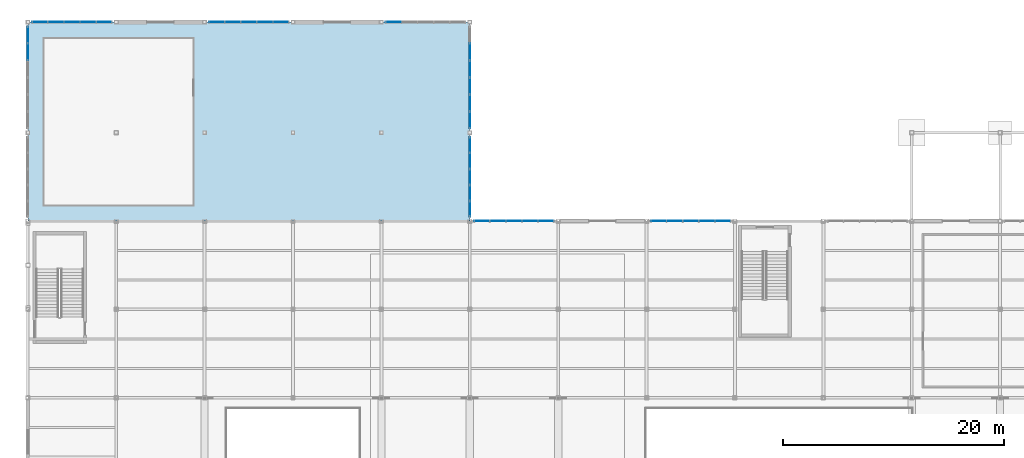
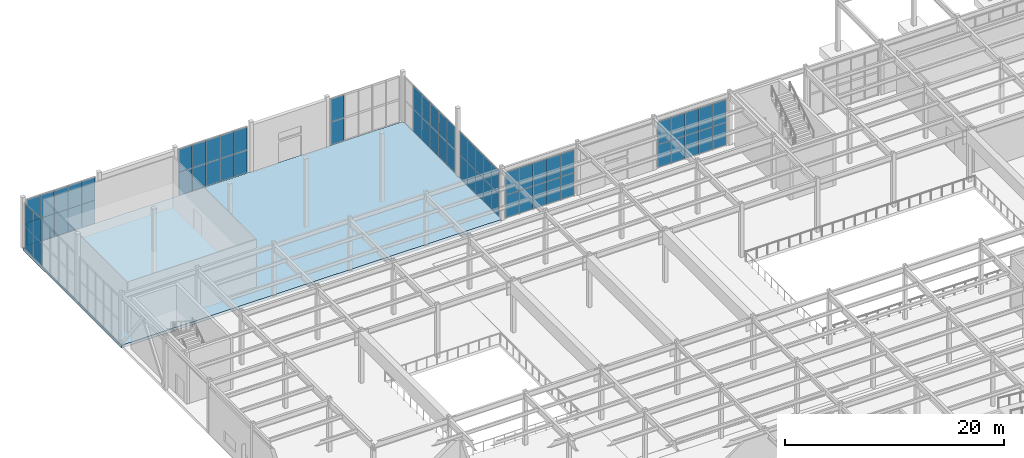
# One storey, part 52 of 82: 66 plates, 1 slab, 8 elements without a shape of their own.
"""IFC4 building model written with IfcOpenShell, lengths in metres."""

from ifc_helpers import new_model, si_unit, direction, frame, origin, origin_2d, place, context, subcontext, project, spatial, polyline, rectangle, outline, extrude, material, layer, layer_set, type_object, element, aggregate, save


model = new_model("IFC4")

# Units and contexts
model_context = context("Model", 3, precision=1e-05, world=origin(), true_north=direction((0.0, 1.0)))
body_context = subcontext(model_context, "Body", "Model", "MODEL_VIEW")
ifc_project = project(units=[si_unit("LENGTHUNIT", "METRE"), si_unit("AREAUNIT", "SQUARE_METRE"), si_unit("VOLUMEUNIT", "CUBIC_METRE"), si_unit("PLANEANGLEUNIT", "RADIAN"), si_unit("MASSUNIT", "GRAM", prefix="KILO")], contexts=[model_context])

# Site, building, storey
site_placement = place(None, origin())
site = spatial("IfcSite", under=ifc_project, at=site_placement, CompositionType="ELEMENT")
building_placement = place(site_placement, origin())
building = spatial("IfcBuilding", under=site, at=building_placement, Name="Drelvath Fold Interchange", CompositionType="ELEMENT")
storey_placement = place(building_placement, origin())
storey = spatial("IfcBuildingStorey", under=building, at=storey_placement, Name="L00", CompositionType="ELEMENT", Elevation=0.0)

# Curtain wall, plates
ifc_material_1 = material(Name="Anodized Aluminium 6063-T6", Category="aluminium")
curtain_wall_type_1 = type_object("IfcCurtainWallType", Name="CW-CON-600", PredefinedType="USERDEFINED", material=ifc_material_1)
curtain_wall_1_placement = place(storey_placement, origin())
curtain_wall_1 = element("IfcCurtainWall", 1, at=curtain_wall_1_placement, inside=storey, type_object=curtain_wall_type_1, Name="Curtain wall CW-V1N-L00-00", ObjectType="UNITISED CURTAIN WALL", PredefinedType="USERDEFINED")
ifc_material_2 = material(Name="Low-Iron Insulated Laminated Glass", Category="glass")
ifc_layer_1 = layer(ifc_material_2, 0.048095703125, Name="Low-Iron Insulated Laminated Glass")
ifc_layer_set_1 = layer_set([ifc_layer_1], Name="Low-Iron Insulated Laminated Glass")
plate_type = type_object("IfcPlateType", Name="CP-CON-A", PredefinedType="CURTAIN_PANEL", material=ifc_layer_set_1)
plate_1_placement = place(storey_placement, frame((5.10791015625, 117.0, 0.0400390625), z_axis=(0.0, 0.0, 1.0), x_axis=(1.0, 0.0, 0.0)))
plate_1 = element("IfcPlate", 2, at=plate_1_placement, type_object=plate_type, Name="CW-V1N-L00-00 glazed panel 0-0", PredefinedType="CURTAIN_PANEL", context=body_context, shape_type="SweptSolid", body=[
    extrude(rectangle(XDim=1.39599609375, YDim=0.048095703125, at=origin_2d()), origin(), (0.0, 0.0, 1.0), 2.550048828125),
])
plate_2_placement = place(storey_placement, frame((5.10791015625, 117.0, 2.60986328125), z_axis=(0.0, 0.0, 1.0), x_axis=(1.0, 0.0, 0.0)))
plate_2 = element("IfcPlate", 3, at=plate_2_placement, type_object=plate_type, Name="CW-V1N-L00-00 glazed panel 0-1", PredefinedType="CURTAIN_PANEL", context=body_context, shape_type="SweptSolid", body=[
    extrude(rectangle(XDim=1.39599609375, YDim=0.048095703125, at=origin_2d()), origin(), (0.0, 0.0, 1.0), 2.550048828125),
])
plate_3_placement = place(storey_placement, frame((6.5439453125, 117.0, 0.0400390625), z_axis=(0.0, 0.0, 1.0), x_axis=(1.0, 0.0, 0.0)))
plate_3 = element("IfcPlate", 4, at=plate_3_placement, type_object=plate_type, Name="CW-V1N-L00-00 glazed panel 1-0", PredefinedType="CURTAIN_PANEL", context=body_context, shape_type="SweptSolid", body=[
    extrude(rectangle(XDim=1.43603515625, YDim=0.048095703125, at=origin_2d()), origin(), (0.0, 0.0, 1.0), 2.550048828125),
])
plate_4_placement = place(storey_placement, frame((6.5439453125, 117.0, 2.60986328125), z_axis=(0.0, 0.0, 1.0), x_axis=(1.0, 0.0, 0.0)))
plate_4 = element("IfcPlate", 5, at=plate_4_placement, type_object=plate_type, Name="CW-V1N-L00-00 glazed panel 1-1", PredefinedType="CURTAIN_PANEL", context=body_context, shape_type="SweptSolid", body=[
    extrude(rectangle(XDim=1.43603515625, YDim=0.048095703125, at=origin_2d()), origin(), (0.0, 0.0, 1.0), 2.550048828125),
])
plate_5_placement = place(storey_placement, frame((8.0, 117.0, 0.0400390625), z_axis=(0.0, 0.0, 1.0), x_axis=(1.0, 0.0, 0.0)))
plate_5 = element("IfcPlate", 6, at=plate_5_placement, type_object=plate_type, Name="CW-V1N-L00-00 glazed panel 2-0", PredefinedType="CURTAIN_PANEL", context=body_context, shape_type="SweptSolid", body=[
    extrude(rectangle(XDim=1.43603515625, YDim=0.048095703125, at=origin_2d()), origin(), (0.0, 0.0, 1.0), 2.550048828125),
])
plate_6_placement = place(storey_placement, frame((8.0, 117.0, 2.60986328125), z_axis=(0.0, 0.0, 1.0), x_axis=(1.0, 0.0, 0.0)))
plate_6 = element("IfcPlate", 7, at=plate_6_placement, type_object=plate_type, Name="CW-V1N-L00-00 glazed panel 2-1", PredefinedType="CURTAIN_PANEL", context=body_context, shape_type="SweptSolid", body=[
    extrude(rectangle(XDim=1.43603515625, YDim=0.048095703125, at=origin_2d()), origin(), (0.0, 0.0, 1.0), 2.550048828125),
])
plate_7_placement = place(storey_placement, frame((9.4560546875, 117.0, 0.0400390625), z_axis=(0.0, 0.0, 1.0), x_axis=(1.0, 0.0, 0.0)))
plate_7 = element("IfcPlate", 8, at=plate_7_placement, type_object=plate_type, Name="CW-V1N-L00-00 glazed panel 3-0", PredefinedType="CURTAIN_PANEL", context=body_context, shape_type="SweptSolid", body=[
    extrude(rectangle(XDim=1.43603515625, YDim=0.048095703125, at=origin_2d()), origin(), (0.0, 0.0, 1.0), 2.550048828125),
])
plate_8_placement = place(storey_placement, frame((9.4560546875, 117.0, 2.60986328125), z_axis=(0.0, 0.0, 1.0), x_axis=(1.0, 0.0, 0.0)))
plate_8 = element("IfcPlate", 9, at=plate_8_placement, type_object=plate_type, Name="CW-V1N-L00-00 glazed panel 3-1", PredefinedType="CURTAIN_PANEL", context=body_context, shape_type="SweptSolid", body=[
    extrude(rectangle(XDim=1.43603515625, YDim=0.048095703125, at=origin_2d()), origin(), (0.0, 0.0, 1.0), 2.550048828125),
])
plate_9_placement = place(storey_placement, frame((10.89208984375, 117.0, 0.0400390625), z_axis=(0.0, 0.0, 1.0), x_axis=(1.0, 0.0, 0.0)))
plate_9 = element("IfcPlate", 10, at=plate_9_placement, type_object=plate_type, Name="CW-V1N-L00-00 glazed panel 4-0", PredefinedType="CURTAIN_PANEL", context=body_context, shape_type="SweptSolid", body=[
    extrude(rectangle(XDim=1.39599609375, YDim=0.048095703125, at=origin_2d()), origin(), (0.0, 0.0, 1.0), 2.550048828125),
])
plate_10_placement = place(storey_placement, frame((10.89208984375, 117.0, 2.60986328125), z_axis=(0.0, 0.0, 1.0), x_axis=(1.0, 0.0, 0.0)))
plate_10 = element("IfcPlate", 11, at=plate_10_placement, type_object=plate_type, Name="CW-V1N-L00-00 glazed panel 4-1", PredefinedType="CURTAIN_PANEL", context=body_context, shape_type="SweptSolid", body=[
    extrude(rectangle(XDim=1.39599609375, YDim=0.048095703125, at=origin_2d()), origin(), (0.0, 0.0, 1.0), 2.550048828125),
])
aggregate(curtain_wall_1, [plate_1, plate_2, plate_3, plate_4, plate_5, plate_6, plate_7, plate_8, plate_9, plate_10])

curtain_wall_2_placement = place(storey_placement, origin())
curtain_wall_2 = element("IfcCurtainWall", 12, at=curtain_wall_2_placement, inside=storey, type_object=curtain_wall_type_1, Name="Curtain wall CW-V1N-L00-02", ObjectType="UNITISED CURTAIN WALL", PredefinedType="USERDEFINED")
plate_11_placement = place(storey_placement, frame((21.10791015625, 117.0, 0.0400390625), z_axis=(0.0, 0.0, 1.0), x_axis=(1.0, 0.0, 0.0)))
plate_11 = element("IfcPlate", 13, at=plate_11_placement, type_object=plate_type, Name="CW-V1N-L00-02 glazed panel 0-0", PredefinedType="CURTAIN_PANEL", context=body_context, shape_type="SweptSolid", body=[
    extrude(rectangle(XDim=1.39599609375, YDim=0.048095703125, at=origin_2d()), origin(), (0.0, 0.0, 1.0), 2.550048828125),
])
plate_12_placement = place(storey_placement, frame((21.10791015625, 117.0, 2.60986328125), z_axis=(0.0, 0.0, 1.0), x_axis=(1.0, 0.0, 0.0)))
plate_12 = element("IfcPlate", 14, at=plate_12_placement, type_object=plate_type, Name="CW-V1N-L00-02 glazed panel 0-1", PredefinedType="CURTAIN_PANEL", context=body_context, shape_type="SweptSolid", body=[
    extrude(rectangle(XDim=1.39599609375, YDim=0.048095703125, at=origin_2d()), origin(), (0.0, 0.0, 1.0), 2.550048828125),
])
plate_13_placement = place(storey_placement, frame((22.5439453125, 117.0, 0.0400390625), z_axis=(0.0, 0.0, 1.0), x_axis=(1.0, 0.0, 0.0)))
plate_13 = element("IfcPlate", 15, at=plate_13_placement, type_object=plate_type, Name="CW-V1N-L00-02 glazed panel 1-0", PredefinedType="CURTAIN_PANEL", context=body_context, shape_type="SweptSolid", body=[
    extrude(rectangle(XDim=1.43603515625, YDim=0.048095703125, at=origin_2d()), origin(), (0.0, 0.0, 1.0), 2.550048828125),
])
plate_14_placement = place(storey_placement, frame((22.5439453125, 117.0, 2.60986328125), z_axis=(0.0, 0.0, 1.0), x_axis=(1.0, 0.0, 0.0)))
plate_14 = element("IfcPlate", 16, at=plate_14_placement, type_object=plate_type, Name="CW-V1N-L00-02 glazed panel 1-1", PredefinedType="CURTAIN_PANEL", context=body_context, shape_type="SweptSolid", body=[
    extrude(rectangle(XDim=1.43603515625, YDim=0.048095703125, at=origin_2d()), origin(), (0.0, 0.0, 1.0), 2.550048828125),
])
plate_15_placement = place(storey_placement, frame((24.0, 117.0, 0.0400390625), z_axis=(0.0, 0.0, 1.0), x_axis=(1.0, 0.0, 0.0)))
plate_15 = element("IfcPlate", 17, at=plate_15_placement, type_object=plate_type, Name="CW-V1N-L00-02 glazed panel 2-0", PredefinedType="CURTAIN_PANEL", context=body_context, shape_type="SweptSolid", body=[
    extrude(rectangle(XDim=1.43603515625, YDim=0.048095703125, at=origin_2d()), origin(), (0.0, 0.0, 1.0), 2.550048828125),
])
plate_16_placement = place(storey_placement, frame((24.0, 117.0, 2.60986328125), z_axis=(0.0, 0.0, 1.0), x_axis=(1.0, 0.0, 0.0)))
plate_16 = element("IfcPlate", 18, at=plate_16_placement, type_object=plate_type, Name="CW-V1N-L00-02 glazed panel 2-1", PredefinedType="CURTAIN_PANEL", context=body_context, shape_type="SweptSolid", body=[
    extrude(rectangle(XDim=1.43603515625, YDim=0.048095703125, at=origin_2d()), origin(), (0.0, 0.0, 1.0), 2.550048828125),
])
plate_17_placement = place(storey_placement, frame((25.4560546875, 117.0, 0.0400390625), z_axis=(0.0, 0.0, 1.0), x_axis=(1.0, 0.0, 0.0)))
plate_17 = element("IfcPlate", 19, at=plate_17_placement, type_object=plate_type, Name="CW-V1N-L00-02 glazed panel 3-0", PredefinedType="CURTAIN_PANEL", context=body_context, shape_type="SweptSolid", body=[
    extrude(rectangle(XDim=1.43603515625, YDim=0.048095703125, at=origin_2d()), origin(), (0.0, 0.0, 1.0), 2.550048828125),
])
plate_18_placement = place(storey_placement, frame((25.4560546875, 117.0, 2.60986328125), z_axis=(0.0, 0.0, 1.0), x_axis=(1.0, 0.0, 0.0)))
plate_18 = element("IfcPlate", 20, at=plate_18_placement, type_object=plate_type, Name="CW-V1N-L00-02 glazed panel 3-1", PredefinedType="CURTAIN_PANEL", context=body_context, shape_type="SweptSolid", body=[
    extrude(rectangle(XDim=1.43603515625, YDim=0.048095703125, at=origin_2d()), origin(), (0.0, 0.0, 1.0), 2.550048828125),
])
plate_19_placement = place(storey_placement, frame((26.89208984375, 117.0, 0.0400390625), z_axis=(0.0, 0.0, 1.0), x_axis=(1.0, 0.0, 0.0)))
plate_19 = element("IfcPlate", 21, at=plate_19_placement, type_object=plate_type, Name="CW-V1N-L00-02 glazed panel 4-0", PredefinedType="CURTAIN_PANEL", context=body_context, shape_type="SweptSolid", body=[
    extrude(rectangle(XDim=1.39599609375, YDim=0.048095703125, at=origin_2d()), origin(), (0.0, 0.0, 1.0), 2.550048828125),
])
plate_20_placement = place(storey_placement, frame((26.89208984375, 117.0, 2.60986328125), z_axis=(0.0, 0.0, 1.0), x_axis=(1.0, 0.0, 0.0)))
plate_20 = element("IfcPlate", 22, at=plate_20_placement, type_object=plate_type, Name="CW-V1N-L00-02 glazed panel 4-1", PredefinedType="CURTAIN_PANEL", context=body_context, shape_type="SweptSolid", body=[
    extrude(rectangle(XDim=1.39599609375, YDim=0.048095703125, at=origin_2d()), origin(), (0.0, 0.0, 1.0), 2.550048828125),
])
aggregate(curtain_wall_2, [plate_11, plate_12, plate_13, plate_14, plate_15, plate_16, plate_17, plate_18, plate_19, plate_20])

curtain_wall_3_placement = place(storey_placement, origin())
curtain_wall_3 = element("IfcCurtainWall", 23, at=curtain_wall_3_placement, inside=storey, type_object=curtain_wall_type_1, Name="Curtain wall CW-V1N-L00-04", ObjectType="UNITISED CURTAIN WALL", PredefinedType="USERDEFINED")
plate_21_placement = place(storey_placement, frame((37.10791015625, 117.0, 0.0400390625), z_axis=(0.0, 0.0, 1.0), x_axis=(1.0, 0.0, 0.0)))
plate_21 = element("IfcPlate", 24, at=plate_21_placement, type_object=plate_type, Name="CW-V1N-L00-04 glazed panel 0-0", PredefinedType="CURTAIN_PANEL", context=body_context, shape_type="SweptSolid", body=[
    extrude(rectangle(XDim=1.39599609375, YDim=0.048095703125, at=origin_2d()), origin(), (0.0, 0.0, 1.0), 2.550048828125),
])
plate_22_placement = place(storey_placement, frame((37.10791015625, 117.0, 2.60986328125), z_axis=(0.0, 0.0, 1.0), x_axis=(1.0, 0.0, 0.0)))
plate_22 = element("IfcPlate", 25, at=plate_22_placement, type_object=plate_type, Name="CW-V1N-L00-04 glazed panel 0-1", PredefinedType="CURTAIN_PANEL", context=body_context, shape_type="SweptSolid", body=[
    extrude(rectangle(XDim=1.39599609375, YDim=0.048095703125, at=origin_2d()), origin(), (0.0, 0.0, 1.0), 2.550048828125),
])
aggregate(curtain_wall_3, [plate_21, plate_22])

curtain_wall_4_placement = place(storey_placement, origin())
curtain_wall_4 = element("IfcCurtainWall", 26, at=curtain_wall_4_placement, inside=storey, type_object=curtain_wall_type_1, Name="Curtain wall CW-V1NE-L00-0", ObjectType="UNITISED CURTAIN WALL", PredefinedType="USERDEFINED")
plate_23_placement = place(storey_placement, frame((44.0, 100.10791015625, 0.0400390625), z_axis=(0.0, 0.0, 1.0), x_axis=(0.0, 1.0, 0.0)))
plate_23 = element("IfcPlate", 27, at=plate_23_placement, type_object=plate_type, Name="CW-V1NE-L00-0 glazed panel 0-0", PredefinedType="CURTAIN_PANEL", context=body_context, shape_type="SweptSolid", body=[
    extrude(rectangle(XDim=1.39599609375, YDim=0.048095703125, at=origin_2d()), origin(), (0.0, 0.0, 1.0), 2.550048828125),
])
plate_24_placement = place(storey_placement, frame((44.0, 100.10791015625, 2.60986328125), z_axis=(0.0, 0.0, 1.0), x_axis=(0.0, 1.0, 0.0)))
plate_24 = element("IfcPlate", 28, at=plate_24_placement, type_object=plate_type, Name="CW-V1NE-L00-0 glazed panel 0-1", PredefinedType="CURTAIN_PANEL", context=body_context, shape_type="SweptSolid", body=[
    extrude(rectangle(XDim=1.39599609375, YDim=0.048095703125, at=origin_2d()), origin(), (0.0, 0.0, 1.0), 2.550048828125),
])
plate_25_placement = place(storey_placement, frame((44.0, 101.5439453125, 0.0400390625), z_axis=(0.0, 0.0, 1.0), x_axis=(0.0, 1.0, 0.0)))
plate_25 = element("IfcPlate", 29, at=plate_25_placement, type_object=plate_type, Name="CW-V1NE-L00-0 glazed panel 1-0", PredefinedType="CURTAIN_PANEL", context=body_context, shape_type="SweptSolid", body=[
    extrude(rectangle(XDim=1.43603515625, YDim=0.048095703125, at=origin_2d()), origin(), (0.0, 0.0, 1.0), 2.550048828125),
])
plate_26_placement = place(storey_placement, frame((44.0, 101.5439453125, 2.60986328125), z_axis=(0.0, 0.0, 1.0), x_axis=(0.0, 1.0, 0.0)))
plate_26 = element("IfcPlate", 30, at=plate_26_placement, type_object=plate_type, Name="CW-V1NE-L00-0 glazed panel 1-1", PredefinedType="CURTAIN_PANEL", context=body_context, shape_type="SweptSolid", body=[
    extrude(rectangle(XDim=1.43603515625, YDim=0.048095703125, at=origin_2d()), origin(), (0.0, 0.0, 1.0), 2.550048828125),
])
plate_27_placement = place(storey_placement, frame((44.0, 103.0, 0.0400390625), z_axis=(0.0, 0.0, 1.0), x_axis=(0.0, 1.0, 0.0)))
plate_27 = element("IfcPlate", 31, at=plate_27_placement, type_object=plate_type, Name="CW-V1NE-L00-0 glazed panel 2-0", PredefinedType="CURTAIN_PANEL", context=body_context, shape_type="SweptSolid", body=[
    extrude(rectangle(XDim=1.43603515625, YDim=0.048095703125, at=origin_2d()), origin(), (0.0, 0.0, 1.0), 2.550048828125),
])
plate_28_placement = place(storey_placement, frame((44.0, 103.0, 2.60986328125), z_axis=(0.0, 0.0, 1.0), x_axis=(0.0, 1.0, 0.0)))
plate_28 = element("IfcPlate", 32, at=plate_28_placement, type_object=plate_type, Name="CW-V1NE-L00-0 glazed panel 2-1", PredefinedType="CURTAIN_PANEL", context=body_context, shape_type="SweptSolid", body=[
    extrude(rectangle(XDim=1.43603515625, YDim=0.048095703125, at=origin_2d()), origin(), (0.0, 0.0, 1.0), 2.550048828125),
])
plate_29_placement = place(storey_placement, frame((44.0, 104.4560546875, 0.0400390625), z_axis=(0.0, 0.0, 1.0), x_axis=(0.0, 1.0, 0.0)))
plate_29 = element("IfcPlate", 33, at=plate_29_placement, type_object=plate_type, Name="CW-V1NE-L00-0 glazed panel 3-0", PredefinedType="CURTAIN_PANEL", context=body_context, shape_type="SweptSolid", body=[
    extrude(rectangle(XDim=1.43603515625, YDim=0.048095703125, at=origin_2d()), origin(), (0.0, 0.0, 1.0), 2.550048828125),
])
plate_30_placement = place(storey_placement, frame((44.0, 104.4560546875, 2.60986328125), z_axis=(0.0, 0.0, 1.0), x_axis=(0.0, 1.0, 0.0)))
plate_30 = element("IfcPlate", 34, at=plate_30_placement, type_object=plate_type, Name="CW-V1NE-L00-0 glazed panel 3-1", PredefinedType="CURTAIN_PANEL", context=body_context, shape_type="SweptSolid", body=[
    extrude(rectangle(XDim=1.43603515625, YDim=0.048095703125, at=origin_2d()), origin(), (0.0, 0.0, 1.0), 2.550048828125),
])
plate_31_placement = place(storey_placement, frame((44.0, 105.89208984375, 0.0400390625), z_axis=(0.0, 0.0, 1.0), x_axis=(0.0, 1.0, 0.0)))
plate_31 = element("IfcPlate", 35, at=plate_31_placement, type_object=plate_type, Name="CW-V1NE-L00-0 glazed panel 4-0", PredefinedType="CURTAIN_PANEL", context=body_context, shape_type="SweptSolid", body=[
    extrude(rectangle(XDim=1.39599609375, YDim=0.048095703125, at=origin_2d()), origin(), (0.0, 0.0, 1.0), 2.550048828125),
])
plate_32_placement = place(storey_placement, frame((44.0, 105.89208984375, 2.60986328125), z_axis=(0.0, 0.0, 1.0), x_axis=(0.0, 1.0, 0.0)))
plate_32 = element("IfcPlate", 36, at=plate_32_placement, type_object=plate_type, Name="CW-V1NE-L00-0 glazed panel 4-1", PredefinedType="CURTAIN_PANEL", context=body_context, shape_type="SweptSolid", body=[
    extrude(rectangle(XDim=1.39599609375, YDim=0.048095703125, at=origin_2d()), origin(), (0.0, 0.0, 1.0), 2.550048828125),
])
aggregate(curtain_wall_4, [plate_23, plate_24, plate_25, plate_26, plate_27, plate_28, plate_29, plate_30, plate_31, plate_32])

curtain_wall_type_2 = type_object("IfcCurtainWallType", Name="CW-CON-N10", PredefinedType="USERDEFINED", material=ifc_material_1)
curtain_wall_5_placement = place(storey_placement, origin())
curtain_wall_5 = element("IfcCurtainWall", 37, at=curtain_wall_5_placement, inside=storey, type_object=curtain_wall_type_2, Name="Curtain wall CW-V1NE-L00-1", ObjectType="UNITISED CURTAIN WALL", PredefinedType="USERDEFINED")
plate_33_placement = place(storey_placement, frame((44.0, 108.153076171875, 0.0400390625), z_axis=(0.0, 0.0, 1.0), x_axis=(0.0, 1.0, 0.0)))
plate_33 = element("IfcPlate", 38, at=plate_33_placement, type_object=plate_type, Name="CW-V1NE-L00-1 glazed panel 0-0", PredefinedType="CURTAIN_PANEL", context=body_context, shape_type="SweptSolid", body=[
    extrude(rectangle(XDim=1.487060546875, YDim=0.048095703125, at=origin_2d()), origin(), (0.0, 0.0, 1.0), 2.550048828125),
])
plate_34_placement = place(storey_placement, frame((44.0, 108.153076171875, 2.60986328125), z_axis=(0.0, 0.0, 1.0), x_axis=(0.0, 1.0, 0.0)))
plate_34 = element("IfcPlate", 39, at=plate_34_placement, type_object=plate_type, Name="CW-V1NE-L00-1 glazed panel 0-1", PredefinedType="CURTAIN_PANEL", context=body_context, shape_type="SweptSolid", body=[
    extrude(rectangle(XDim=1.487060546875, YDim=0.048095703125, at=origin_2d()), origin(), (0.0, 0.0, 1.0), 2.550048828125),
])
plate_35_placement = place(storey_placement, frame((44.0, 109.679931640625, 0.0400390625), z_axis=(0.0, 0.0, 1.0), x_axis=(0.0, 1.0, 0.0)))
plate_35 = element("IfcPlate", 40, at=plate_35_placement, type_object=plate_type, Name="CW-V1NE-L00-1 glazed panel 1-0", PredefinedType="CURTAIN_PANEL", context=body_context, shape_type="SweptSolid", body=[
    extrude(rectangle(XDim=1.527099609375, YDim=0.048095703125, at=origin_2d()), origin(), (0.0, 0.0, 1.0), 2.550048828125),
])
plate_36_placement = place(storey_placement, frame((44.0, 109.679931640625, 2.60986328125), z_axis=(0.0, 0.0, 1.0), x_axis=(0.0, 1.0, 0.0)))
plate_36 = element("IfcPlate", 41, at=plate_36_placement, type_object=plate_type, Name="CW-V1NE-L00-1 glazed panel 1-1", PredefinedType="CURTAIN_PANEL", context=body_context, shape_type="SweptSolid", body=[
    extrude(rectangle(XDim=1.527099609375, YDim=0.048095703125, at=origin_2d()), origin(), (0.0, 0.0, 1.0), 2.550048828125),
])
plate_37_placement = place(storey_placement, frame((44.0, 111.22705078125, 0.0400390625), z_axis=(0.0, 0.0, 1.0), x_axis=(0.0, 1.0, 0.0)))
plate_37 = element("IfcPlate", 42, at=plate_37_placement, type_object=plate_type, Name="CW-V1NE-L00-1 glazed panel 2-0", PredefinedType="CURTAIN_PANEL", context=body_context, shape_type="SweptSolid", body=[
    extrude(rectangle(XDim=1.527099609375, YDim=0.048095703125, at=origin_2d()), origin(), (0.0, 0.0, 1.0), 2.550048828125),
])
plate_38_placement = place(storey_placement, frame((44.0, 111.22705078125, 2.60986328125), z_axis=(0.0, 0.0, 1.0), x_axis=(0.0, 1.0, 0.0)))
plate_38 = element("IfcPlate", 43, at=plate_38_placement, type_object=plate_type, Name="CW-V1NE-L00-1 glazed panel 2-1", PredefinedType="CURTAIN_PANEL", context=body_context, shape_type="SweptSolid", body=[
    extrude(rectangle(XDim=1.527099609375, YDim=0.048095703125, at=origin_2d()), origin(), (0.0, 0.0, 1.0), 2.550048828125),
])
plate_39_placement = place(storey_placement, frame((44.0, 112.77294921875, 0.0400390625), z_axis=(0.0, 0.0, 1.0), x_axis=(0.0, 1.0, 0.0)))
plate_39 = element("IfcPlate", 44, at=plate_39_placement, type_object=plate_type, Name="CW-V1NE-L00-1 glazed panel 3-0", PredefinedType="CURTAIN_PANEL", context=body_context, shape_type="SweptSolid", body=[
    extrude(rectangle(XDim=1.527099609375, YDim=0.048095703125, at=origin_2d()), origin(), (0.0, 0.0, 1.0), 2.550048828125),
])
plate_40_placement = place(storey_placement, frame((44.0, 112.77294921875, 2.60986328125), z_axis=(0.0, 0.0, 1.0), x_axis=(0.0, 1.0, 0.0)))
plate_40 = element("IfcPlate", 45, at=plate_40_placement, type_object=plate_type, Name="CW-V1NE-L00-1 glazed panel 3-1", PredefinedType="CURTAIN_PANEL", context=body_context, shape_type="SweptSolid", body=[
    extrude(rectangle(XDim=1.527099609375, YDim=0.048095703125, at=origin_2d()), origin(), (0.0, 0.0, 1.0), 2.550048828125),
])
plate_41_placement = place(storey_placement, frame((44.0, 114.320068359375, 0.0400390625), z_axis=(0.0, 0.0, 1.0), x_axis=(0.0, 1.0, 0.0)))
plate_41 = element("IfcPlate", 46, at=plate_41_placement, type_object=plate_type, Name="CW-V1NE-L00-1 glazed panel 4-0", PredefinedType="CURTAIN_PANEL", context=body_context, shape_type="SweptSolid", body=[
    extrude(rectangle(XDim=1.527099609375, YDim=0.048095703125, at=origin_2d()), origin(), (0.0, 0.0, 1.0), 2.550048828125),
])
plate_42_placement = place(storey_placement, frame((44.0, 114.320068359375, 2.60986328125), z_axis=(0.0, 0.0, 1.0), x_axis=(0.0, 1.0, 0.0)))
plate_42 = element("IfcPlate", 47, at=plate_42_placement, type_object=plate_type, Name="CW-V1NE-L00-1 glazed panel 4-1", PredefinedType="CURTAIN_PANEL", context=body_context, shape_type="SweptSolid", body=[
    extrude(rectangle(XDim=1.527099609375, YDim=0.048095703125, at=origin_2d()), origin(), (0.0, 0.0, 1.0), 2.550048828125),
])
aggregate(curtain_wall_5, [plate_33, plate_34, plate_35, plate_36, plate_37, plate_38, plate_39, plate_40, plate_41, plate_42])

curtain_wall_6_placement = place(storey_placement, origin())
curtain_wall_6 = element("IfcCurtainWall", 48, at=curtain_wall_6_placement, inside=storey, type_object=curtain_wall_type_1, Name="Curtain wall CW-V1-L00-N44", ObjectType="UNITISED CURTAIN WALL", PredefinedType="USERDEFINED")
plate_43_placement = place(storey_placement, frame((45.10791015625, 99.0, 0.03955078125), z_axis=(0.0, 0.0, 1.0), x_axis=(1.0, 0.0, 0.0)))
plate_43 = element("IfcPlate", 49, at=plate_43_placement, type_object=plate_type, Name="CW-V1-L00-N44 glazed panel 0-0", PredefinedType="CURTAIN_PANEL", context=body_context, shape_type="SweptSolid", body=[
    extrude(rectangle(XDim=1.39599609375, YDim=0.048095703125, at=origin_2d()), origin(), (0.0, 0.0, 1.0), 2.52490234375),
])
plate_44_placement = place(storey_placement, frame((45.10791015625, 99.0, 2.58544921875), z_axis=(0.0, 0.0, 1.0), x_axis=(1.0, 0.0, 0.0)))
plate_44 = element("IfcPlate", 50, at=plate_44_placement, type_object=plate_type, Name="CW-V1-L00-N44 glazed panel 0-1", PredefinedType="CURTAIN_PANEL", context=body_context, shape_type="SweptSolid", body=[
    extrude(rectangle(XDim=1.39599609375, YDim=0.048095703125, at=origin_2d()), origin(), (0.0, 0.0, 1.0), 2.52490234375),
])
plate_45_placement = place(storey_placement, frame((46.5439453125, 99.0, 0.03955078125), z_axis=(0.0, 0.0, 1.0), x_axis=(1.0, 0.0, 0.0)))
plate_45 = element("IfcPlate", 51, at=plate_45_placement, type_object=plate_type, Name="CW-V1-L00-N44 glazed panel 1-0", PredefinedType="CURTAIN_PANEL", context=body_context, shape_type="SweptSolid", body=[
    extrude(rectangle(XDim=1.43603515625, YDim=0.048095703125, at=origin_2d()), origin(), (0.0, 0.0, 1.0), 2.52490234375),
])
plate_46_placement = place(storey_placement, frame((46.5439453125, 99.0, 2.58544921875), z_axis=(0.0, 0.0, 1.0), x_axis=(1.0, 0.0, 0.0)))
plate_46 = element("IfcPlate", 52, at=plate_46_placement, type_object=plate_type, Name="CW-V1-L00-N44 glazed panel 1-1", PredefinedType="CURTAIN_PANEL", context=body_context, shape_type="SweptSolid", body=[
    extrude(rectangle(XDim=1.43603515625, YDim=0.048095703125, at=origin_2d()), origin(), (0.0, 0.0, 1.0), 2.52490234375),
])
plate_47_placement = place(storey_placement, frame((48.0, 99.0, 0.03955078125), z_axis=(0.0, 0.0, 1.0), x_axis=(1.0, 0.0, 0.0)))
plate_47 = element("IfcPlate", 53, at=plate_47_placement, type_object=plate_type, Name="CW-V1-L00-N44 glazed panel 2-0", PredefinedType="CURTAIN_PANEL", context=body_context, shape_type="SweptSolid", body=[
    extrude(rectangle(XDim=1.43603515625, YDim=0.048095703125, at=origin_2d()), origin(), (0.0, 0.0, 1.0), 2.52490234375),
])
plate_48_placement = place(storey_placement, frame((48.0, 99.0, 2.58544921875), z_axis=(0.0, 0.0, 1.0), x_axis=(1.0, 0.0, 0.0)))
plate_48 = element("IfcPlate", 54, at=plate_48_placement, type_object=plate_type, Name="CW-V1-L00-N44 glazed panel 2-1", PredefinedType="CURTAIN_PANEL", context=body_context, shape_type="SweptSolid", body=[
    extrude(rectangle(XDim=1.43603515625, YDim=0.048095703125, at=origin_2d()), origin(), (0.0, 0.0, 1.0), 2.52490234375),
])
plate_49_placement = place(storey_placement, frame((49.4560546875, 99.0, 0.03955078125), z_axis=(0.0, 0.0, 1.0), x_axis=(1.0, 0.0, 0.0)))
plate_49 = element("IfcPlate", 55, at=plate_49_placement, type_object=plate_type, Name="CW-V1-L00-N44 glazed panel 3-0", PredefinedType="CURTAIN_PANEL", context=body_context, shape_type="SweptSolid", body=[
    extrude(rectangle(XDim=1.43603515625, YDim=0.048095703125, at=origin_2d()), origin(), (0.0, 0.0, 1.0), 2.52490234375),
])
plate_50_placement = place(storey_placement, frame((49.4560546875, 99.0, 2.58544921875), z_axis=(0.0, 0.0, 1.0), x_axis=(1.0, 0.0, 0.0)))
plate_50 = element("IfcPlate", 56, at=plate_50_placement, type_object=plate_type, Name="CW-V1-L00-N44 glazed panel 3-1", PredefinedType="CURTAIN_PANEL", context=body_context, shape_type="SweptSolid", body=[
    extrude(rectangle(XDim=1.43603515625, YDim=0.048095703125, at=origin_2d()), origin(), (0.0, 0.0, 1.0), 2.52490234375),
])
plate_51_placement = place(storey_placement, frame((50.89208984375, 99.0, 0.03955078125), z_axis=(0.0, 0.0, 1.0), x_axis=(1.0, 0.0, 0.0)))
plate_51 = element("IfcPlate", 57, at=plate_51_placement, type_object=plate_type, Name="CW-V1-L00-N44 glazed panel 4-0", PredefinedType="CURTAIN_PANEL", context=body_context, shape_type="SweptSolid", body=[
    extrude(rectangle(XDim=1.39599609375, YDim=0.048095703125, at=origin_2d()), origin(), (0.0, 0.0, 1.0), 2.52490234375),
])
plate_52_placement = place(storey_placement, frame((50.89208984375, 99.0, 2.58544921875), z_axis=(0.0, 0.0, 1.0), x_axis=(1.0, 0.0, 0.0)))
plate_52 = element("IfcPlate", 58, at=plate_52_placement, type_object=plate_type, Name="CW-V1-L00-N44 glazed panel 4-1", PredefinedType="CURTAIN_PANEL", context=body_context, shape_type="SweptSolid", body=[
    extrude(rectangle(XDim=1.39599609375, YDim=0.048095703125, at=origin_2d()), origin(), (0.0, 0.0, 1.0), 2.52490234375),
])
aggregate(curtain_wall_6, [plate_43, plate_44, plate_45, plate_46, plate_47, plate_48, plate_49, plate_50, plate_51, plate_52])

curtain_wall_7_placement = place(storey_placement, origin())
curtain_wall_7 = element("IfcCurtainWall", 59, at=curtain_wall_7_placement, inside=storey, type_object=curtain_wall_type_1, Name="Curtain wall CW-V1-L00-N60", ObjectType="UNITISED CURTAIN WALL", PredefinedType="USERDEFINED")
plate_53_placement = place(storey_placement, frame((61.10791015625, 99.0, 0.03955078125), z_axis=(0.0, 0.0, 1.0), x_axis=(1.0, 0.0, 0.0)))
plate_53 = element("IfcPlate", 60, at=plate_53_placement, type_object=plate_type, Name="CW-V1-L00-N60 glazed panel 0-0", PredefinedType="CURTAIN_PANEL", context=body_context, shape_type="SweptSolid", body=[
    extrude(rectangle(XDim=1.39599609375, YDim=0.048095703125, at=origin_2d()), origin(), (0.0, 0.0, 1.0), 2.52490234375),
])
plate_54_placement = place(storey_placement, frame((61.10791015625, 99.0, 2.58544921875), z_axis=(0.0, 0.0, 1.0), x_axis=(1.0, 0.0, 0.0)))
plate_54 = element("IfcPlate", 61, at=plate_54_placement, type_object=plate_type, Name="CW-V1-L00-N60 glazed panel 0-1", PredefinedType="CURTAIN_PANEL", context=body_context, shape_type="SweptSolid", body=[
    extrude(rectangle(XDim=1.39599609375, YDim=0.048095703125, at=origin_2d()), origin(), (0.0, 0.0, 1.0), 2.52490234375),
])
plate_55_placement = place(storey_placement, frame((62.5439453125, 99.0, 0.03955078125), z_axis=(0.0, 0.0, 1.0), x_axis=(1.0, 0.0, 0.0)))
plate_55 = element("IfcPlate", 62, at=plate_55_placement, type_object=plate_type, Name="CW-V1-L00-N60 glazed panel 1-0", PredefinedType="CURTAIN_PANEL", context=body_context, shape_type="SweptSolid", body=[
    extrude(rectangle(XDim=1.43603515625, YDim=0.048095703125, at=origin_2d()), origin(), (0.0, 0.0, 1.0), 2.52490234375),
])
plate_56_placement = place(storey_placement, frame((62.5439453125, 99.0, 2.58544921875), z_axis=(0.0, 0.0, 1.0), x_axis=(1.0, 0.0, 0.0)))
plate_56 = element("IfcPlate", 63, at=plate_56_placement, type_object=plate_type, Name="CW-V1-L00-N60 glazed panel 1-1", PredefinedType="CURTAIN_PANEL", context=body_context, shape_type="SweptSolid", body=[
    extrude(rectangle(XDim=1.43603515625, YDim=0.048095703125, at=origin_2d()), origin(), (0.0, 0.0, 1.0), 2.52490234375),
])
plate_57_placement = place(storey_placement, frame((64.0, 99.0, 0.03955078125), z_axis=(0.0, 0.0, 1.0), x_axis=(1.0, 0.0, 0.0)))
plate_57 = element("IfcPlate", 64, at=plate_57_placement, type_object=plate_type, Name="CW-V1-L00-N60 glazed panel 2-0", PredefinedType="CURTAIN_PANEL", context=body_context, shape_type="SweptSolid", body=[
    extrude(rectangle(XDim=1.43603515625, YDim=0.048095703125, at=origin_2d()), origin(), (0.0, 0.0, 1.0), 2.52490234375),
])
plate_58_placement = place(storey_placement, frame((64.0, 99.0, 2.58544921875), z_axis=(0.0, 0.0, 1.0), x_axis=(1.0, 0.0, 0.0)))
plate_58 = element("IfcPlate", 65, at=plate_58_placement, type_object=plate_type, Name="CW-V1-L00-N60 glazed panel 2-1", PredefinedType="CURTAIN_PANEL", context=body_context, shape_type="SweptSolid", body=[
    extrude(rectangle(XDim=1.43603515625, YDim=0.048095703125, at=origin_2d()), origin(), (0.0, 0.0, 1.0), 2.52490234375),
])
plate_59_placement = place(storey_placement, frame((65.4560546875, 99.0, 0.03955078125), z_axis=(0.0, 0.0, 1.0), x_axis=(1.0, 0.0, 0.0)))
plate_59 = element("IfcPlate", 66, at=plate_59_placement, type_object=plate_type, Name="CW-V1-L00-N60 glazed panel 3-0", PredefinedType="CURTAIN_PANEL", context=body_context, shape_type="SweptSolid", body=[
    extrude(rectangle(XDim=1.43603515625, YDim=0.048095703125, at=origin_2d()), origin(), (0.0, 0.0, 1.0), 2.52490234375),
])
plate_60_placement = place(storey_placement, frame((65.4560546875, 99.0, 2.58544921875), z_axis=(0.0, 0.0, 1.0), x_axis=(1.0, 0.0, 0.0)))
plate_60 = element("IfcPlate", 67, at=plate_60_placement, type_object=plate_type, Name="CW-V1-L00-N60 glazed panel 3-1", PredefinedType="CURTAIN_PANEL", context=body_context, shape_type="SweptSolid", body=[
    extrude(rectangle(XDim=1.43603515625, YDim=0.048095703125, at=origin_2d()), origin(), (0.0, 0.0, 1.0), 2.52490234375),
])
plate_61_placement = place(storey_placement, frame((66.89208984375, 99.0, 0.03955078125), z_axis=(0.0, 0.0, 1.0), x_axis=(1.0, 0.0, 0.0)))
plate_61 = element("IfcPlate", 68, at=plate_61_placement, type_object=plate_type, Name="CW-V1-L00-N60 glazed panel 4-0", PredefinedType="CURTAIN_PANEL", context=body_context, shape_type="SweptSolid", body=[
    extrude(rectangle(XDim=1.39599609375, YDim=0.048095703125, at=origin_2d()), origin(), (0.0, 0.0, 1.0), 2.52490234375),
])
plate_62_placement = place(storey_placement, frame((66.89208984375, 99.0, 2.58544921875), z_axis=(0.0, 0.0, 1.0), x_axis=(1.0, 0.0, 0.0)))
plate_62 = element("IfcPlate", 69, at=plate_62_placement, type_object=plate_type, Name="CW-V1-L00-N60 glazed panel 4-1", PredefinedType="CURTAIN_PANEL", context=body_context, shape_type="SweptSolid", body=[
    extrude(rectangle(XDim=1.39599609375, YDim=0.048095703125, at=origin_2d()), origin(), (0.0, 0.0, 1.0), 2.52490234375),
])
aggregate(curtain_wall_7, [plate_53, plate_54, plate_55, plate_56, plate_57, plate_58, plate_59, plate_60, plate_61, plate_62])

curtain_wall_8_placement = place(storey_placement, origin())
curtain_wall_8 = element("IfcCurtainWall", 70, at=curtain_wall_8_placement, inside=storey, type_object=curtain_wall_type_1, Name="Curtain wall CW-V1-L00-W107", ObjectType="UNITISED CURTAIN WALL", PredefinedType="USERDEFINED")
plate_63_placement = place(storey_placement, frame((4.0, 114.320068359375, 0.03955078125), z_axis=(0.0, 0.0, 1.0), x_axis=(0.0, 1.0, 0.0)))
plate_63 = element("IfcPlate", 71, at=plate_63_placement, type_object=plate_type, Name="CW-V1-L00-W107 glazed panel 4-0", PredefinedType="CURTAIN_PANEL", context=body_context, shape_type="SweptSolid", body=[
    extrude(rectangle(XDim=1.527099609375, YDim=0.048095703125, at=origin_2d()), origin(), (0.0, 0.0, 1.0), 2.52490234375),
])
plate_64_placement = place(storey_placement, frame((4.0, 114.320068359375, 2.58544921875), z_axis=(0.0, 0.0, 1.0), x_axis=(0.0, 1.0, 0.0)))
plate_64 = element("IfcPlate", 72, at=plate_64_placement, type_object=plate_type, Name="CW-V1-L00-W107 glazed panel 4-1", PredefinedType="CURTAIN_PANEL", context=body_context, shape_type="SweptSolid", body=[
    extrude(rectangle(XDim=1.527099609375, YDim=0.048095703125, at=origin_2d()), origin(), (0.0, 0.0, 1.0), 2.52490234375),
])
plate_65_placement = place(storey_placement, frame((4.0, 115.846923828125, 0.03955078125), z_axis=(0.0, 0.0, 1.0), x_axis=(0.0, 1.0, 0.0)))
plate_65 = element("IfcPlate", 73, at=plate_65_placement, type_object=plate_type, Name="CW-V1-L00-W107 glazed panel 5-0", PredefinedType="CURTAIN_PANEL", context=body_context, shape_type="SweptSolid", body=[
    extrude(rectangle(XDim=1.487060546875, YDim=0.048095703125, at=origin_2d()), origin(), (0.0, 0.0, 1.0), 2.52490234375),
])
plate_66_placement = place(storey_placement, frame((4.0, 115.846923828125, 2.58544921875), z_axis=(0.0, 0.0, 1.0), x_axis=(0.0, 1.0, 0.0)))
plate_66 = element("IfcPlate", 74, at=plate_66_placement, type_object=plate_type, Name="CW-V1-L00-W107 glazed panel 5-1", PredefinedType="CURTAIN_PANEL", context=body_context, shape_type="SweptSolid", body=[
    extrude(rectangle(XDim=1.487060546875, YDim=0.048095703125, at=origin_2d()), origin(), (0.0, 0.0, 1.0), 2.52490234375),
])
aggregate(curtain_wall_8, [plate_63, plate_64, plate_65, plate_66])

# Slab
ifc_material_3 = material(Name="Concrete f'c 35 MPa (5000 psi)", Category="concrete")
ifc_layer_2 = layer(ifc_material_3, 0.320068359375, Name="Concrete f'c 35 MPa (5000 psi)")
ifc_layer_set_2 = layer_set([ifc_layer_2], Name="Concrete f'c 35 MPa (5000 psi)")
slab_type = type_object("IfcSlabType", Name="FS-L00", PredefinedType="FLOOR", material=ifc_layer_set_2)
slab_placement = place(storey_placement, frame((0.0, 0.0, -0.320068359375)))
element("IfcSlab", 75, at=slab_placement, inside=storey, type_object=slab_type, Name="L00 structural slab SL-L00-V1N", PredefinedType="FLOOR", context=body_context, shape_type="SweptSolid", body=[
    extrude(outline(polyline([(4.0, 99.0), (44.0, 99.0), (44.0, 117.0), (4.0, 117.0), (4.0, 99.0)])), origin(), (0.0, 0.0, 1.0), 0.320068359375),
])

save(model, "model.ifc")
